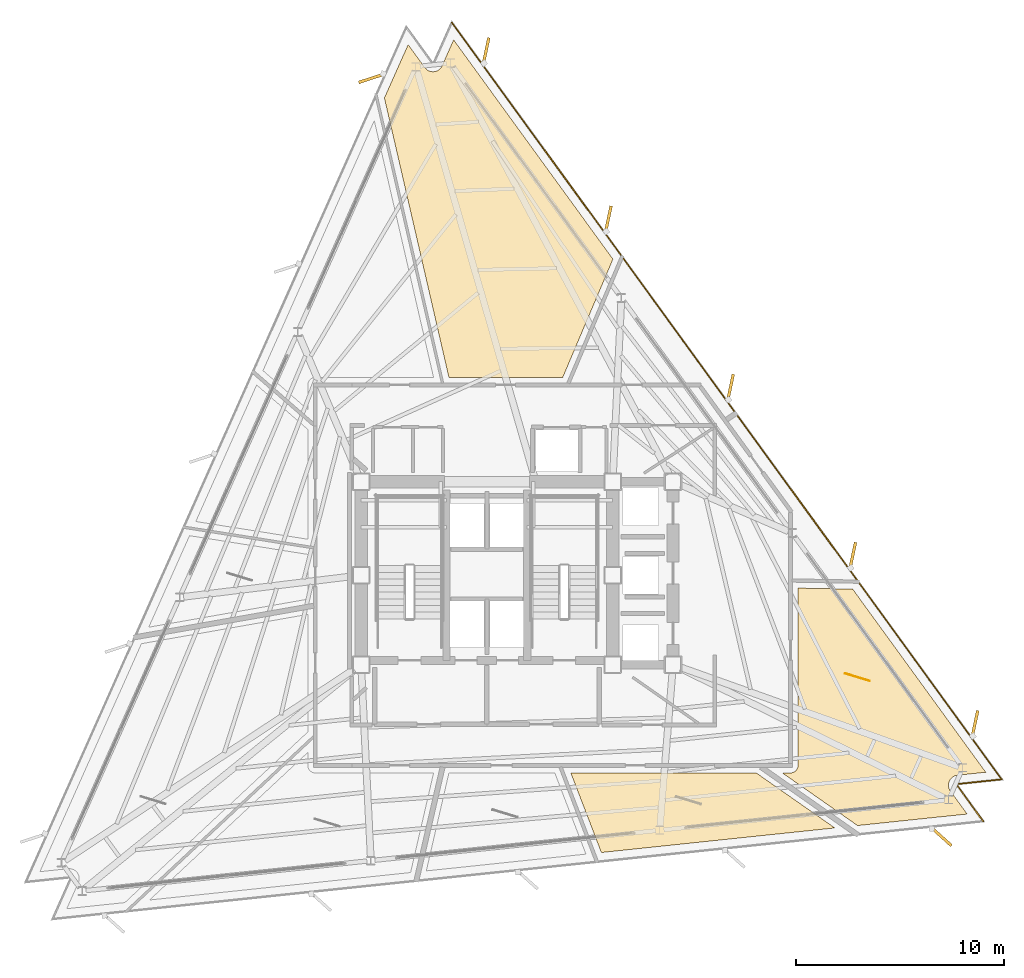
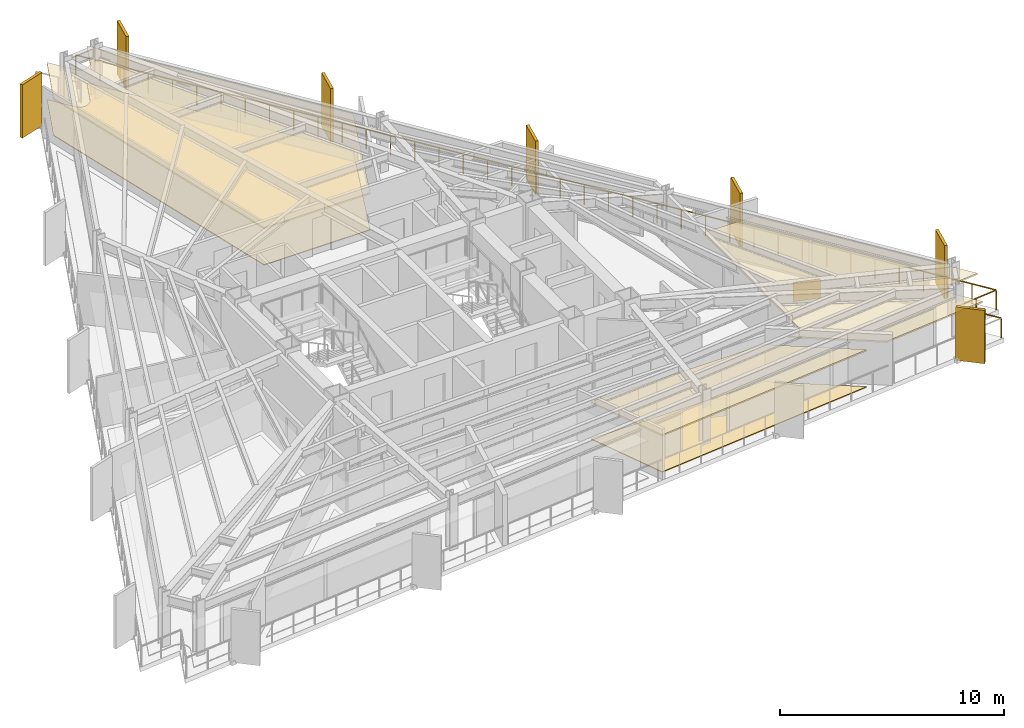
# One storey, part 12 of 12: 7 shading devices, 6 coverings, 1 railing.
"""IFC4 building model written with IfcOpenShell, lengths in metres."""

from ifc_helpers import new_model, si_unit, direction, frame, origin, origin_2d, place, context, subcontext, project, spatial, polyline, rectangle, outline, extrude, material, layer, layer_set, type_object, element, save


model = new_model("IFC4")

# Units and contexts
model_context = context("Model", 3, precision=1e-05, world=origin(), true_north=direction((0.0, 1.0)))
body_context = subcontext(model_context, "Body", "Model", "MODEL_VIEW")
ifc_project = project(units=[si_unit("LENGTHUNIT", "METRE"), si_unit("AREAUNIT", "SQUARE_METRE"), si_unit("VOLUMEUNIT", "CUBIC_METRE"), si_unit("PLANEANGLEUNIT", "RADIAN"), si_unit("MASSUNIT", "GRAM", prefix="KILO")], contexts=[model_context])

# Site, building, storey
site_placement = place(None, origin())
site = spatial("IfcSite", under=ifc_project, at=site_placement, CompositionType="ELEMENT")
building_placement = place(site_placement, origin())
building = spatial("IfcBuilding", under=site, at=building_placement, Name="Rocaltana Carrier Exchange", CompositionType="ELEMENT")
storey_placement = place(building_placement, frame((0.0, 0.0, 116.800048828125)))
storey = spatial("IfcBuildingStorey", under=building, at=storey_placement, Name="L36", CompositionType="ELEMENT", Elevation=116.800048828125)

# Coverings
ifc_material_1 = material(Name="Honed Bogota Sandstone Tile", Category="masonry")
ifc_layer_1 = layer(ifc_material_1, 0.0400390625)
ifc_layer_set_1 = layer_set([ifc_layer_1], Name="Honed Bogota Sandstone Tile")
covering_type_1 = type_object("IfcCoveringType", Name="Honed Stone Lobby Flooring 40", PredefinedType="FLOORING", material=ifc_layer_set_1)
covering_1_placement = place(storey_placement, origin())
element("IfcCovering", 1, at=covering_1_placement, inside=storey, type_object=covering_type_1, Name="L36 Executive Peering Boardroom Finish Floor", PredefinedType="FLOORING", context=body_context, shape_type="SweptSolid", body=[
    extrude(outline(polyline([(5.5048828125, -13.3359375), (4.0361328125, -9.510009765625), (12.9541015625, -9.510009765625), (16.732666015625, -12.15576171875), (5.5048828125, -13.3359375)])), origin(), (0.0, 0.0, 1.0), 0.0400390625),
])
covering_2_placement = place(storey_placement, origin())
element("IfcCovering", 2, at=covering_2_placement, inside=storey, type_object=covering_type_1, Name="L36 Peering Conference Room Finish Floor", PredefinedType="FLOORING", context=body_context, shape_type="SweptSolid", body=[
    extrude(outline(polyline([(-3.787841796875, 25.51513671875), (-2.9833984375, 24.407958984375), (-2.974853515625, 24.39697265625), (-2.96240234375, 24.38134765625), (-2.943603515625, 24.360595703125), (-2.9296875, 24.34619140625), (-2.9091796875, 24.327392578125), (-2.893798828125, 24.314697265625), (-2.87158203125, 24.2978515625), (-2.85498046875, 24.286865234375), (-2.8310546875, 24.272216796875), (-2.8134765625, 24.262939453125), (-2.788330078125, 24.2509765625), (-2.77001953125, 24.243408203125), (-2.74365234375, 24.23388671875), (-2.724609375, 24.22802734375), (-2.697509765625, 24.22119140625), (-2.677978515625, 24.217529296875), (-2.650390625, 24.21337890625), (-2.630615234375, 24.211669921875), (-2.6025390625, 24.210205078125), (-2.58251953125, 24.21044921875), (-2.5546875, 24.2119140625), (-2.534912109375, 24.214111328125), (-2.50732421875, 24.21826171875), (-2.48779296875, 24.222412109375), (-2.460693359375, 24.2294921875), (-2.44189453125, 24.2353515625), (-2.41552734375, 24.2451171875), (-2.397216796875, 24.2529296875), (-2.372314453125, 24.26513671875), (-2.354736328125, 24.274658203125), (-2.3310546875, 24.289306640625), (-2.314697265625, 24.30078125), (-2.29248046875, 24.317626953125), (-2.277099609375, 24.33056640625), (-2.2568359375, 24.349609375), (-2.242919921875, 24.364013671875), (-2.224609375, 24.385009765625), (-2.212158203125, 24.400634765625), (-2.196044921875, 24.42333984375), (-2.185302734375, 24.440185546875), (-2.17138671875, 24.464599609375), (-2.16259765625, 24.482421875), (-2.156494140625, 24.494873046875), (-1.599853515625, 25.7451171875), (6.061279296875, 15.20068359375), (3.645751953125, 9.510009765625), (-1.826171875, 9.510009765625), (-4.92919921875, 22.951416015625), (-3.787841796875, 25.51513671875)])), origin(), (0.0, 0.0, 1.0), 0.0400390625),
])
ifc_material_2 = material(Name="Anodised Aluminium 6063-T6", Category="aluminium")
ifc_layer_2 = layer(ifc_material_2, 0.0849609375)
ifc_layer_set_2 = layer_set([ifc_layer_2], Name="Anodised Aluminium 6063-T6")
covering_type_2 = type_object("IfcCoveringType", Name="Linear Baffle Acoustic Ceiling 85", PredefinedType="CEILING", material=ifc_layer_set_2)
covering_3_placement = place(storey_placement, frame((0.0, 0.0, 1.972900390625)))
element("IfcCovering", 3, at=covering_3_placement, inside=storey, type_object=covering_type_2, Name="L36 Executive Peering Boardroom Acoustic Ceiling", PredefinedType="CEILING", context=body_context, shape_type="SweptSolid", body=[
    extrude(outline(polyline([(5.5048828125, -13.3359375), (4.0361328125, -9.510009765625), (12.9541015625, -9.510009765625), (16.732666015625, -12.15576171875), (5.5048828125, -13.3359375)])), origin(), (0.0, 0.0, 1.0), 0.0849609375),
])
covering_4_placement = place(storey_placement, frame((0.0, 0.0, 1.972900390625)))
element("IfcCovering", 4, at=covering_4_placement, inside=storey, type_object=covering_type_2, Name="L36 Quiet Focus Lounge Acoustic Ceiling", PredefinedType="CEILING", context=body_context, shape_type="SweptSolid", body=[
    extrude(outline(polyline([(23.99072265625, -9.477294921875), (22.62939453125, -9.620361328125), (22.61572265625, -9.6220703125), (22.595947265625, -9.625244140625), (22.568603515625, -9.630859375), (22.54931640625, -9.635986328125), (22.522705078125, -9.644287109375), (22.50390625, -9.651123046875), (22.478271484375, -9.662109375), (22.46044921875, -9.6708984375), (22.43603515625, -9.684326171875), (22.4189453125, -9.69482421875), (22.39599609375, -9.710693359375), (22.380126953125, -9.722900390625), (22.35888671875, -9.74072265625), (22.344482421875, -9.75439453125), (22.324951171875, -9.774658203125), (22.311767578125, -9.78955078125), (22.294677734375, -9.8115234375), (22.282958984375, -9.82763671875), (22.26806640625, -9.851318359375), (22.258056640625, -9.86865234375), (22.24560546875, -9.8935546875), (22.2373046875, -9.91162109375), (22.227294921875, -9.937744140625), (22.220947265625, -9.956787109375), (22.213623046875, -9.983642578125), (22.209228515625, -10.0029296875), (22.20458984375, -10.030517578125), (22.2021484375, -10.05029296875), (22.2001953125, -10.078125), (22.19970703125, -10.09814453125), (22.20068359375, -10.1259765625), (22.202392578125, -10.14599609375), (22.205810546875, -10.173583984375), (22.20947265625, -10.193115234375), (22.2158203125, -10.220458984375), (22.22119140625, -10.239501953125), (22.230224609375, -10.26611328125), (22.23779296875, -10.284423828125), (22.249267578125, -10.309814453125), (22.258544921875, -10.32763671875), (22.272705078125, -10.351806640625), (22.283447265625, -10.368408203125), (22.29150390625, -10.3798828125), (23.095947265625, -11.487060546875), (17.82421875, -12.041015625), (14.209228515625, -9.510009765625), (14.60009765625, -9.510009765625), (14.61376953125, -9.509765625), (14.62158203125, -9.50927734375), (14.64892578125, -9.506591796875), (14.65673828125, -9.50537109375), (14.68359375, -9.5), (14.69140625, -9.498291015625), (14.717529296875, -9.490234375), (14.724853515625, -9.487548828125), (14.750244140625, -9.47705078125), (14.75732421875, -9.4736328125), (14.78173828125, -9.460693359375), (14.788330078125, -9.456787109375), (14.811279296875, -9.44140625), (14.8173828125, -9.436767578125), (14.8388671875, -9.419189453125), (14.844482421875, -9.4140625), (14.864013671875, -9.39453125), (14.869384765625, -9.388916015625), (14.88671875, -9.367431640625), (14.891357421875, -9.361083984375), (14.90673828125, -9.33837890625), (14.91064453125, -9.331787109375), (14.923583984375, -9.307373046875), (14.927001953125, -9.30029296875), (14.9375, -9.27490234375), (14.940185546875, -9.267578125), (14.9482421875, -9.2412109375), (14.9501953125, -9.233642578125), (14.955322265625, -9.206787109375), (14.95654296875, -9.198974609375), (14.959228515625, -9.171630859375), (14.959716796875, -9.163818359375), (14.9599609375, -9.14990234375), (14.9599609375, -0.62109375), (17.58984375, -0.6669921875), (23.99072265625, -9.477294921875)])), origin(), (0.0, 0.0, 1.0), 0.0849609375),
])
covering_5_placement = place(storey_placement, frame((0.0, 0.0, 1.972900390625)))
element("IfcCovering", 5, at=covering_5_placement, inside=storey, type_object=covering_type_2, Name="L36 Peering Conference Room Acoustic Ceiling", PredefinedType="CEILING", context=body_context, shape_type="SweptSolid", body=[
    extrude(outline(polyline([(-3.787841796875, 25.51513671875), (-2.9833984375, 24.407958984375), (-2.974853515625, 24.39697265625), (-2.96240234375, 24.38134765625), (-2.943603515625, 24.360595703125), (-2.9296875, 24.34619140625), (-2.9091796875, 24.327392578125), (-2.893798828125, 24.314697265625), (-2.87158203125, 24.2978515625), (-2.85498046875, 24.286865234375), (-2.8310546875, 24.272216796875), (-2.8134765625, 24.262939453125), (-2.788330078125, 24.2509765625), (-2.77001953125, 24.243408203125), (-2.74365234375, 24.23388671875), (-2.724609375, 24.22802734375), (-2.697509765625, 24.22119140625), (-2.677978515625, 24.217529296875), (-2.650390625, 24.21337890625), (-2.630615234375, 24.211669921875), (-2.6025390625, 24.210205078125), (-2.58251953125, 24.21044921875), (-2.5546875, 24.2119140625), (-2.534912109375, 24.214111328125), (-2.50732421875, 24.21826171875), (-2.48779296875, 24.222412109375), (-2.460693359375, 24.2294921875), (-2.44189453125, 24.2353515625), (-2.41552734375, 24.2451171875), (-2.397216796875, 24.2529296875), (-2.372314453125, 24.26513671875), (-2.354736328125, 24.274658203125), (-2.3310546875, 24.289306640625), (-2.314697265625, 24.30078125), (-2.29248046875, 24.317626953125), (-2.277099609375, 24.33056640625), (-2.2568359375, 24.349609375), (-2.242919921875, 24.364013671875), (-2.224609375, 24.385009765625), (-2.212158203125, 24.400634765625), (-2.196044921875, 24.42333984375), (-2.185302734375, 24.440185546875), (-2.17138671875, 24.464599609375), (-2.16259765625, 24.482421875), (-2.156494140625, 24.494873046875), (-1.599853515625, 25.7451171875), (6.061279296875, 15.20068359375), (3.645751953125, 9.510009765625), (-1.826171875, 9.510009765625), (-4.92919921875, 22.951416015625), (-3.787841796875, 25.51513671875)])), origin(), (0.0, 0.0, 1.0), 0.0849609375),
])
ifc_material_3 = material(Name="Honed Piedra Muneca Sandstone", Category="masonry")
ifc_layer_3 = layer(ifc_material_3, 0.034912109375)
ifc_layer_set_3 = layer_set([ifc_layer_3], Name="Honed Piedra Muneca Sandstone")
covering_type_3 = type_object("IfcCoveringType", Name="Stone Facade Cladding 35", PredefinedType="CLADDING", material=ifc_layer_set_3)
covering_6_placement = place(storey_placement, frame((17.815673828125, -4.908447265625, 0.0), z_axis=(0.0, 0.0, 1.0), x_axis=(-0.956304755963, 0.292371704723, 0.0)))
element("IfcCovering", 6, at=covering_6_placement, inside=storey, type_object=covering_type_3, Name="L36 Stone Facade Cladding Panel 7", PredefinedType="CLADDING", context=body_context, shape_type="SweptSolid", body=[
    extrude(rectangle(XDim=1.25, YDim=0.034912109375, at=origin_2d()), origin(), (0.0, 0.0, 1.0), 1.050048828125),
])

# Shading devices
ifc_material_4 = material(Name="Honed Bogota Sandstone & Concrete C45/55", Category="masonry")
ifc_layer_4 = layer(ifc_material_4, 0.139892578125)
ifc_layer_set_4 = layer_set([ifc_layer_4], Name="Honed Bogota Sandstone & Concrete C45/55")
shading_device_type = type_object("IfcShadingDeviceType", Name="Vertical Sandstone Shading Fin 1320x140", PredefinedType="USERDEFINED", material=ifc_layer_set_4)
for number, where, z_axis, x_axis, name in (
    (7, (23.46826171875, -7.15771484375, -0.1201171875), (0.0, 0.0, 1.0), (0.207911690818, 0.978147600734, 0.0), "L36 Sandstone Vertical Fin F1-01"),
    (8, (17.590576171875, 0.932373046875, -0.1201171875), (0.0, 0.0, 1.0), (0.207911690818, 0.978147600734, 0.0), "L36 Sandstone Vertical Fin F1-02"),
    (9, (11.712646484375, 9.0224609375, -0.1201171875), (0.0, 0.0, 1.0), (0.207911690818, 0.978147600734, 0.0), "L36 Sandstone Vertical Fin F1-03"),
    (10, (5.834716796875, 17.11279296875, -0.1201171875), (0.0, 0.0, 1.0), (0.207911690818, 0.978147600734, 0.0), "L36 Sandstone Vertical Fin F1-04"),
    (11, (-0.043212890625, 25.202880859375, -0.1201171875), (0.0, 0.0, 1.0), (0.207911690818, 0.978147600734, 0.0), "L36 Sandstone Vertical Fin F1-05"),
    (12, (-5.535400390625, 23.903076171875, -0.1201171875), (0.0, 0.0, 1.0), (-0.951056516295, -0.309016994375, 0.0), "L36 Sandstone Vertical Fin F2-01"),
    (13, (21.847900390625, -12.564208984375, -0.1201171875), (0.0, 0.0, 1.0), (0.743144825477, -0.669130606359, 0.0), "L36 Sandstone Vertical Fin F3-05"),
):
    element("IfcShadingDevice", number, at=place(storey_placement, frame(where, z_axis=z_axis, x_axis=x_axis)), inside=storey, type_object=shading_device_type, Name=name, ObjectType="FIN", PredefinedType="USERDEFINED", context=body_context, shape_type="SweptSolid", body=[
        extrude(rectangle(XDim=1.320068359375, YDim=0.139892578125, at=origin_2d()), origin(), (0.0, 0.0, 1.0), 2.907958984375),
    ])

# Railing
ifc_material_5 = material(Name="Powder-Coated Aluminium 6063-T6", Category="aluminium")
ifc_layer_5 = layer(ifc_material_5, 0.06005859375)
ifc_layer_set_5 = layer_set([ifc_layer_5], Name="Powder-Coated Aluminium 6063-T6")
railing_type = type_object("IfcRailingType", Name="Wind-Floor & Terrace Perimeter Guardrail 1100", PredefinedType="GUARDRAIL", material=ifc_layer_set_5)
railing_placement = place(storey_placement, frame((-1.687744140625, 26.58056640625, 0.0)))
element("IfcRailing", 14, at=railing_placement, inside=storey, type_object=railing_type, Name="L36 Perimeter Balcony Guardrail 3", PredefinedType="GUARDRAIL", context=body_context, shape_type="SweptSolid", body=[
    extrude(rectangle(XDim=0.048095703125, YDim=0.048095703125, at=origin_2d()), frame((0.0, 0.0, 1.076171875), z_axis=(0.587786393813, -0.809016165011, 0.0), x_axis=(0.809016165011, 0.587786393813, 0.0)), (0.0, 0.0, 1.0), 44.9921875),
    extrude(rectangle(XDim=0.048095703125, YDim=0.048095703125, at=origin_2d()), frame((26.44580078125, -36.3994140625, 1.076171875), z_axis=(-0.994521251134, -0.104534592565, 0.0), x_axis=(0.104534592565, -0.994521251134, 0.0)), (0.0, 0.0, 1.0), 2.199951171875),
    extrude(rectangle(XDim=0.048095703125, YDim=0.048095703125, at=origin_2d()), frame((24.2578125, -36.62939453125, 1.076171875), z_axis=(0.587821928992, -0.808990345923, 0.0), x_axis=(0.808990345923, 0.587821928992, 0.0)), (0.0, 0.0, 1.0), 2.199951171875),
    extrude(rectangle(XDim=0.0419921875, YDim=0.0419921875, at=origin_2d()), origin(), (0.0, 0.0, 1.0), 1.052001953125),
    extrude(rectangle(XDim=0.0419921875, YDim=0.0419921875, at=origin_2d()), frame((0.696044921875, -0.957763671875, 0.0)), (0.0, 0.0, 1.0), 1.052001953125),
    extrude(rectangle(XDim=0.0419921875, YDim=0.0419921875, at=origin_2d()), frame((1.391845703125, -1.915771484375, 0.0)), (0.0, 0.0, 1.0), 1.052001953125),
    extrude(rectangle(XDim=0.0419921875, YDim=0.0419921875, at=origin_2d()), frame((2.087890625, -2.87353515625, 0.0)), (0.0, 0.0, 1.0), 1.052001953125),
    extrude(rectangle(XDim=0.0419921875, YDim=0.0419921875, at=origin_2d()), frame((2.78369140625, -3.83154296875, 0.0)), (0.0, 0.0, 1.0), 1.052001953125),
    extrude(rectangle(XDim=0.0419921875, YDim=0.0419921875, at=origin_2d()), frame((3.479736328125, -4.789306640625, 0.0)), (0.0, 0.0, 1.0), 1.052001953125),
    extrude(rectangle(XDim=0.0419921875, YDim=0.0419921875, at=origin_2d()), frame((4.175537109375, -5.747314453125, 0.0)), (0.0, 0.0, 1.0), 1.052001953125),
    extrude(rectangle(XDim=0.0419921875, YDim=0.0419921875, at=origin_2d()), frame((4.87158203125, -6.705078125, 0.0)), (0.0, 0.0, 1.0), 1.052001953125),
    extrude(rectangle(XDim=0.0419921875, YDim=0.0419921875, at=origin_2d()), frame((5.567626953125, -7.6630859375, 0.0)), (0.0, 0.0, 1.0), 1.052001953125),
    extrude(rectangle(XDim=0.0419921875, YDim=0.0419921875, at=origin_2d()), frame((6.263427734375, -8.620849609375, 0.0)), (0.0, 0.0, 1.0), 1.052001953125),
    extrude(rectangle(XDim=0.0419921875, YDim=0.0419921875, at=origin_2d()), frame((6.95947265625, -9.578857421875, 0.0)), (0.0, 0.0, 1.0), 1.052001953125),
    extrude(rectangle(XDim=0.0419921875, YDim=0.0419921875, at=origin_2d()), frame((7.6552734375, -10.53662109375, 0.0)), (0.0, 0.0, 1.0), 1.052001953125),
    extrude(rectangle(XDim=0.0419921875, YDim=0.0419921875, at=origin_2d()), frame((8.351318359375, -11.49462890625, 0.0)), (0.0, 0.0, 1.0), 1.052001953125),
    extrude(rectangle(XDim=0.0419921875, YDim=0.0419921875, at=origin_2d()), frame((9.04736328125, -12.452392578125, 0.0)), (0.0, 0.0, 1.0), 1.052001953125),
    extrude(rectangle(XDim=0.0419921875, YDim=0.0419921875, at=origin_2d()), frame((9.7431640625, -13.410400390625, 0.0)), (0.0, 0.0, 1.0), 1.052001953125),
    extrude(rectangle(XDim=0.0419921875, YDim=0.0419921875, at=origin_2d()), frame((10.439208984375, -14.3681640625, 0.0)), (0.0, 0.0, 1.0), 1.052001953125),
    extrude(rectangle(XDim=0.0419921875, YDim=0.0419921875, at=origin_2d()), frame((11.135009765625, -15.326171875, 0.0)), (0.0, 0.0, 1.0), 1.052001953125),
    extrude(rectangle(XDim=0.0419921875, YDim=0.0419921875, at=origin_2d()), frame((11.8310546875, -16.283935546875, 0.0)), (0.0, 0.0, 1.0), 1.052001953125),
    extrude(rectangle(XDim=0.0419921875, YDim=0.0419921875, at=origin_2d()), frame((12.52685546875, -17.241943359375, 0.0)), (0.0, 0.0, 1.0), 1.052001953125),
    extrude(rectangle(XDim=0.0419921875, YDim=0.0419921875, at=origin_2d()), frame((13.222900390625, -18.19970703125, 0.0)), (0.0, 0.0, 1.0), 1.052001953125),
    extrude(rectangle(XDim=0.0419921875, YDim=0.0419921875, at=origin_2d()), frame((13.9189453125, -19.157470703125, 0.0)), (0.0, 0.0, 1.0), 1.052001953125),
    extrude(rectangle(XDim=0.0419921875, YDim=0.0419921875, at=origin_2d()), frame((14.61474609375, -20.115478515625, 0.0)), (0.0, 0.0, 1.0), 1.052001953125),
    extrude(rectangle(XDim=0.0419921875, YDim=0.0419921875, at=origin_2d()), frame((15.310791015625, -21.0732421875, 0.0)), (0.0, 0.0, 1.0), 1.052001953125),
    extrude(rectangle(XDim=0.0419921875, YDim=0.0419921875, at=origin_2d()), frame((16.006591796875, -22.03125, 0.0)), (0.0, 0.0, 1.0), 1.052001953125),
    extrude(rectangle(XDim=0.0419921875, YDim=0.0419921875, at=origin_2d()), frame((16.70263671875, -22.989013671875, 0.0)), (0.0, 0.0, 1.0), 1.052001953125),
    extrude(rectangle(XDim=0.0419921875, YDim=0.0419921875, at=origin_2d()), frame((17.3984375, -23.947021484375, 0.0)), (0.0, 0.0, 1.0), 1.052001953125),
    extrude(rectangle(XDim=0.0419921875, YDim=0.0419921875, at=origin_2d()), frame((18.094482421875, -24.90478515625, 0.0)), (0.0, 0.0, 1.0), 1.052001953125),
    extrude(rectangle(XDim=0.0419921875, YDim=0.0419921875, at=origin_2d()), frame((18.79052734375, -25.86279296875, 0.0)), (0.0, 0.0, 1.0), 1.052001953125),
    extrude(rectangle(XDim=0.0419921875, YDim=0.0419921875, at=origin_2d()), frame((19.486328125, -26.820556640625, 0.0)), (0.0, 0.0, 1.0), 1.052001953125),
    extrude(rectangle(XDim=0.0419921875, YDim=0.0419921875, at=origin_2d()), frame((20.182373046875, -27.778564453125, 0.0)), (0.0, 0.0, 1.0), 1.052001953125),
    extrude(rectangle(XDim=0.0419921875, YDim=0.0419921875, at=origin_2d()), frame((20.878173828125, -28.736328125, 0.0)), (0.0, 0.0, 1.0), 1.052001953125),
    extrude(rectangle(XDim=0.0419921875, YDim=0.0419921875, at=origin_2d()), frame((21.57421875, -29.6943359375, 0.0)), (0.0, 0.0, 1.0), 1.052001953125),
    extrude(rectangle(XDim=0.0419921875, YDim=0.0419921875, at=origin_2d()), frame((22.270263671875, -30.652099609375, 0.0)), (0.0, 0.0, 1.0), 1.052001953125),
    extrude(rectangle(XDim=0.0419921875, YDim=0.0419921875, at=origin_2d()), frame((22.966064453125, -31.610107421875, 0.0)), (0.0, 0.0, 1.0), 1.052001953125),
    extrude(rectangle(XDim=0.0419921875, YDim=0.0419921875, at=origin_2d()), frame((23.662109375, -32.56787109375, 0.0)), (0.0, 0.0, 1.0), 1.052001953125),
    extrude(rectangle(XDim=0.0419921875, YDim=0.0419921875, at=origin_2d()), frame((24.35791015625, -33.52587890625, 0.0)), (0.0, 0.0, 1.0), 1.052001953125),
    extrude(rectangle(XDim=0.0419921875, YDim=0.0419921875, at=origin_2d()), frame((25.053955078125, -34.483642578125, 0.0)), (0.0, 0.0, 1.0), 1.052001953125),
    extrude(rectangle(XDim=0.0419921875, YDim=0.0419921875, at=origin_2d()), frame((25.749755859375, -35.441650390625, 0.0)), (0.0, 0.0, 1.0), 1.052001953125),
    extrude(rectangle(XDim=0.0419921875, YDim=0.0419921875, at=origin_2d()), frame((26.44580078125, -36.3994140625, 0.0)), (0.0, 0.0, 1.0), 1.052001953125),
    extrude(rectangle(XDim=0.0419921875, YDim=0.0419921875, at=origin_2d()), frame((25.351806640625, -36.514404296875, 0.0)), (0.0, 0.0, 1.0), 1.052001953125),
    extrude(rectangle(XDim=0.0419921875, YDim=0.0419921875, at=origin_2d()), frame((24.2578125, -36.62939453125, 0.0)), (0.0, 0.0, 1.0), 1.052001953125),
    extrude(rectangle(XDim=0.0419921875, YDim=0.0419921875, at=origin_2d()), frame((24.904296875, -37.519287109375, 0.0)), (0.0, 0.0, 1.0), 1.052001953125),
    extrude(rectangle(XDim=0.0419921875, YDim=0.0419921875, at=origin_2d()), frame((25.551025390625, -38.4091796875, 0.0)), (0.0, 0.0, 1.0), 1.052001953125),
])

save(model, "model.ifc")
